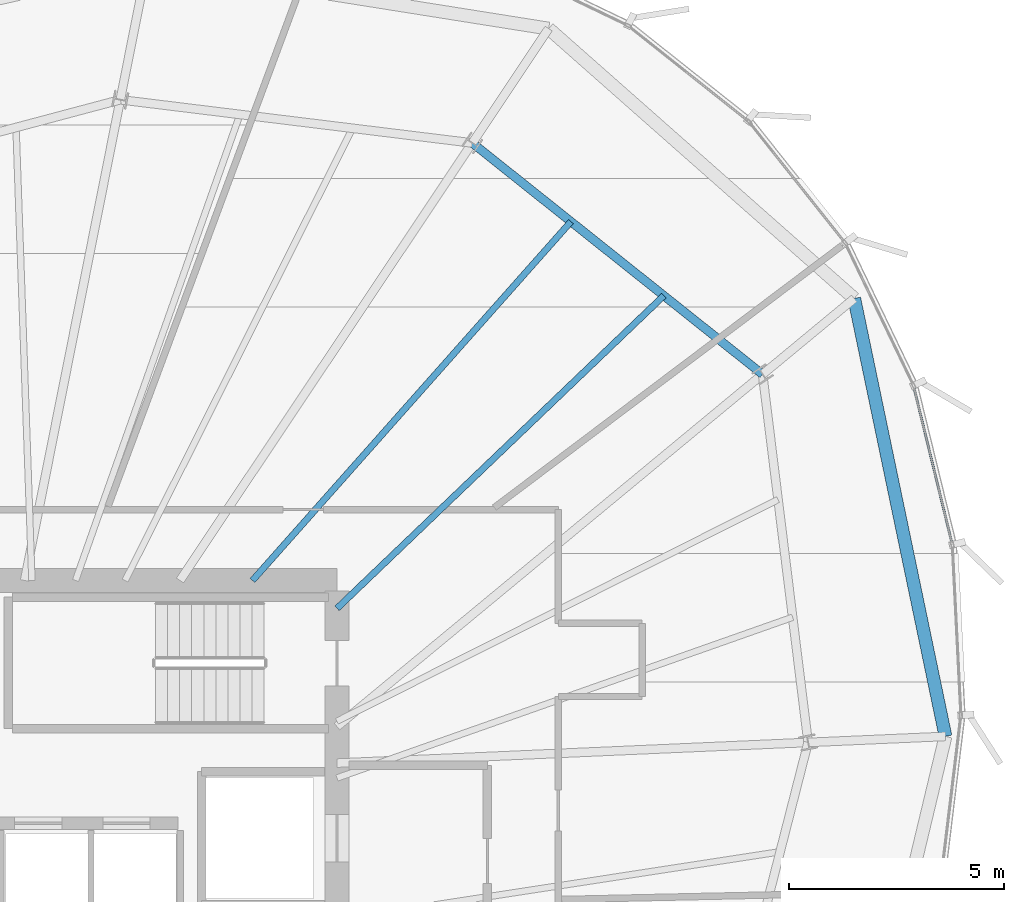
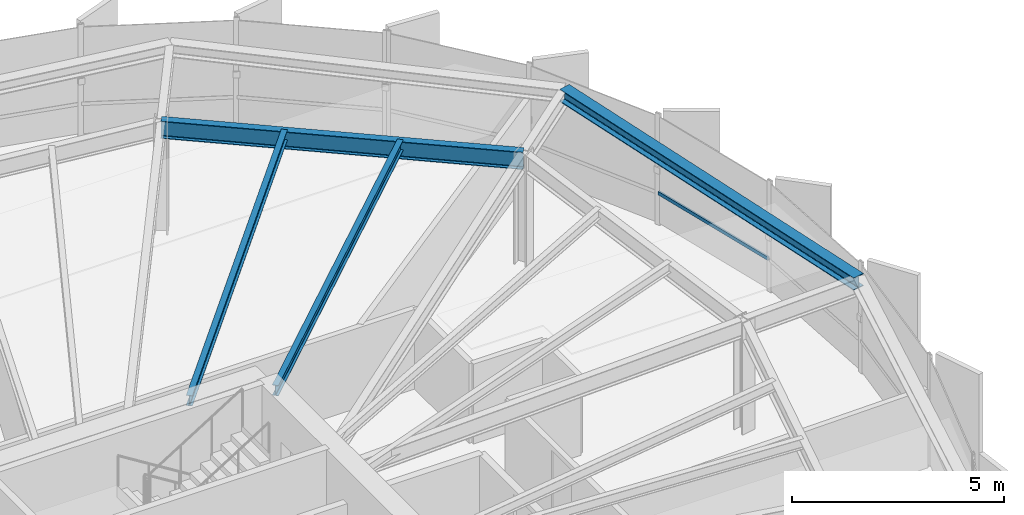
# One storey, part 24 of 34: 4 beams, 1 member, 1 element without a shape of its own.
"""IFC4 building model written with IfcOpenShell, lengths in metres."""

from ifc_helpers import new_model, si_unit, direction, frame, origin, origin_2d, place, context, subcontext, project, spatial, hollow_rectangle, i_section, extrude, source, transform, mapped, material, layer, layer_set, material_profile, profile_set, type_object, element, aggregate, save


model = new_model("IFC4")

# Units and contexts
model_context = context("Model", 3, precision=1e-05, world=origin(), true_north=direction((0.0, 1.0)))
body_context = subcontext(model_context, "Body", "Model", "MODEL_VIEW")
ifc_project = project(units=[si_unit("LENGTHUNIT", "METRE"), si_unit("AREAUNIT", "SQUARE_METRE"), si_unit("VOLUMEUNIT", "CUBIC_METRE"), si_unit("PLANEANGLEUNIT", "RADIAN"), si_unit("MASSUNIT", "GRAM", prefix="KILO"), si_unit("THERMODYNAMICTEMPERATUREUNIT", "KELVIN")], contexts=[model_context])

# Site, building, storey
site_placement = place(None, origin())
site = spatial("IfcSite", under=ifc_project, at=site_placement, CompositionType="ELEMENT")
building_placement = place(site_placement, origin())
building = spatial("IfcBuilding", under=site, at=building_placement, Name="Kethvar Cultural Tower", CompositionType="ELEMENT")
storey_placement = place(building_placement, frame((0.0, 0.0, 214.89990234375)))
storey = spatial("IfcBuildingStorey", under=building, at=storey_placement, Name="L56", CompositionType="ELEMENT", Elevation=214.89990234375)

# Beams
ifc_material_1 = material(Name="Steel S355J2", Category="steel")
ifc_material_profile_1 = material_profile(ifc_material_1, i_section(OverallWidth=0.199951171875, OverallDepth=0.5, WebThickness=0.01025390625, FlangeThickness=0.01611328125, FilletRadius=0.02099609375, at=origin_2d()), Name="Steel S355J2 — IPE500")
ifc_profile_set_1 = profile_set([ifc_material_profile_1], Name="Steel S355J2 — IPE500")
beam_type_1 = type_object("IfcBeamType", Name="BM-IPE500", PredefinedType="BEAM", material=ifc_profile_set_1)
shared_shape_1 = source(origin(), body_context, "Body", "SweptSolid", [
    extrude(i_section(OverallWidth=0.199951171875, OverallDepth=0.5, WebThickness=0.01025390625, FlangeThickness=0.01611328125, FilletRadius=0.02099609375, at=origin_2d()), origin(), (0.0, 0.0, 1.0), 8.638916015625),
])
beam_1_placement = place(storey_placement, frame((65.504150390625, 40.297607421875, 2.988037109375), z_axis=(-0.782058475366, 0.623205055425, 0.0), x_axis=(-0.623205055425, -0.782058475366, 0.0)))
element("IfcBeam", 1, at=beam_1_placement, inside=storey, type_object=beam_type_1, Name="L56 Column Ring Tie Beam CR-02", PredefinedType="BEAM", context=body_context, shape_type="MappedRepresentation", body=[
    mapped(shared_shape_1, transform((0.0, 0.0, 0.0), scale=1.0)),
])
ifc_material_profile_2 = material_profile(ifc_material_1, i_section(OverallWidth=0.14990234375, OverallDepth=0.300048828125, WebThickness=0.007080078125, FlangeThickness=0.0107421875, FilletRadius=0.014892578125, at=origin_2d()), Name="Steel S355J2 — IPE300")
ifc_profile_set_2 = profile_set([ifc_material_profile_2], Name="Steel S355J2 — IPE300")
beam_type_2 = type_object("IfcBeamType", Name="BM-J300", PredefinedType="JOIST", material=ifc_profile_set_2)
shared_shape_2 = source(origin(), body_context, "Body", "SweptSolid", [
    extrude(i_section(OverallWidth=0.14990234375, OverallDepth=0.300048828125, WebThickness=0.007080078125, FlangeThickness=0.0107421875, FilletRadius=0.014892578125, at=origin_2d()), origin(), (0.0, 0.0, 1.0), 10.52783203125),
])
beam_2_placement = place(storey_placement, frame((55.60009765625, 34.85009765625, 3.088134765625), z_axis=(0.722552708299, 0.691315835006, 0.0), x_axis=(-0.691315835006, 0.722552708299, 0.0)))
element("IfcBeam", 2, at=beam_2_placement, inside=storey, type_object=beam_type_2, Name="L56 Composite Floor Joist J-02A", PredefinedType="JOIST", context=body_context, shape_type="MappedRepresentation", body=[
    mapped(shared_shape_2, transform((0.0, 0.0, 0.0), scale=1.0)),
])
shared_shape_3 = source(origin(), body_context, "Body", "SweptSolid", [
    extrude(i_section(OverallWidth=0.14990234375, OverallDepth=0.300048828125, WebThickness=0.007080078125, FlangeThickness=0.0107421875, FilletRadius=0.014892578125, at=origin_2d()), origin(), (0.0, 0.0, 1.0), 11.16552734375),
])
beam_3_placement = place(storey_placement, frame((53.6337890625, 35.5, 3.088134765625), z_axis=(0.663773261048, 0.747933859321, 0.0), x_axis=(-0.747933859321, 0.663773261048, 0.0)))
element("IfcBeam", 3, at=beam_3_placement, inside=storey, type_object=beam_type_2, Name="L56 Composite Floor Joist J-02B", PredefinedType="JOIST", context=body_context, shape_type="MappedRepresentation", body=[
    mapped(shared_shape_3, transform((0.0, 0.0, 0.0), scale=1.0)),
])
ifc_material_profile_3 = material_profile(ifc_material_1, i_section(OverallWidth=0.300048828125, OverallDepth=0.360107421875, WebThickness=0.012451171875, FlangeThickness=0.0224609375, FilletRadius=0.027099609375, at=origin_2d()), Name="Steel S355J2 — HEB360")
ifc_profile_set_3 = profile_set([ifc_material_profile_3], Name="Steel S355J2 — HEB360")
beam_type_3 = type_object("IfcBeamType", Name="BM-SP360", PredefinedType="SPANDREL", material=ifc_profile_set_3)
shared_shape_4 = source(origin(), body_context, "Body", "SweptSolid", [
    extrude(i_section(OverallWidth=0.300048828125, OverallDepth=0.360107421875, WebThickness=0.012451171875, FlangeThickness=0.0224609375, FilletRadius=0.027099609375, at=origin_2d()), origin(), (0.0, 0.0, 1.0), 10.41064453125),
])
beam_4_placement = place(storey_placement, frame((69.760986328125, 31.87158203125, 3.05810546875), z_axis=(-0.204002014722, 0.978970468395, 0.0), x_axis=(-0.978970468395, -0.204002014722, 0.0)))
element("IfcBeam", 4, at=beam_4_placement, inside=storey, type_object=beam_type_3, Name="L56 Perimeter Spandrel Beam SP-01", PredefinedType="SPANDREL", context=body_context, shape_type="MappedRepresentation", body=[
    mapped(shared_shape_4, transform((0.0, 0.0, 0.0), scale=1.0)),
])

# Curtain wall, member
ifc_material_2 = material(Name="Aluminium 6063-T6", Category="aluminium")
ifc_layer = layer(ifc_material_2, 0.179931640625, Name="Aluminium 6063-T6", Category="aluminium")
ifc_layer_set = layer_set([ifc_layer], Name="Aluminium 6063-T6 (180 mm)")
curtain_wall_type = type_object("IfcCurtainWallType", Name="CW-SYS-04-Z34", PredefinedType="NOTDEFINED", material=ifc_layer_set)
curtain_wall_placement = place(storey_placement, origin())
curtain_wall = element("IfcCurtainWall", 5, at=curtain_wall_placement, inside=storey, type_object=curtain_wall_type, Name="L56 Curtain Wall Run 06", PredefinedType="NOTDEFINED")
ifc_material_profile_4 = material_profile(ifc_material_2, hollow_rectangle(XDim=0.050048828125, YDim=0.10009765625, WallThickness=0.00390625, at=origin_2d()), Name="Aluminium 6063-T6 — RHS100x50x4")
ifc_profile_set_4 = profile_set([ifc_material_profile_4], Name="Aluminium 6063-T6 — RHS100x50x4")
member_type = type_object("IfcMemberType", Name="CW-SYS-04-Z34-TRN", PredefinedType="USERDEFINED", material=ifc_profile_set_4)
shared_shape_5 = source(origin(), body_context, "Body", "SweptSolid", [
    extrude(hollow_rectangle(XDim=0.050048828125, YDim=0.10009765625, WallThickness=0.00390625, at=origin_2d()), origin(), (0.0, 0.0, 1.0), 3.748046875),
])
member_placement = place(storey_placement, frame((69.909912109375, 36.373291015625, 0.9501953125), z_axis=(-0.237290550606, 0.971438724055, 0.0), x_axis=(-0.971438724055, -0.237290550606, 0.0)))
member = element("IfcMember", 6, at=member_placement, type_object=member_type, Name="CW-L56-R06 Transom 4", ObjectType="TRANSOM", PredefinedType="USERDEFINED", context=body_context, shape_type="MappedRepresentation", body=[
    mapped(shared_shape_5, transform((0.0, 0.0, 0.0), scale=1.0)),
])
aggregate(curtain_wall, [member])

save(model, "model.ifc")
